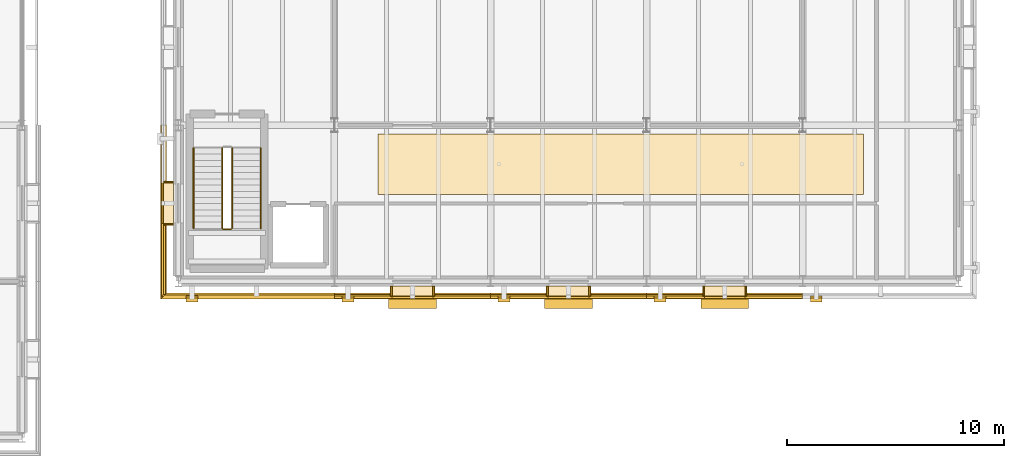
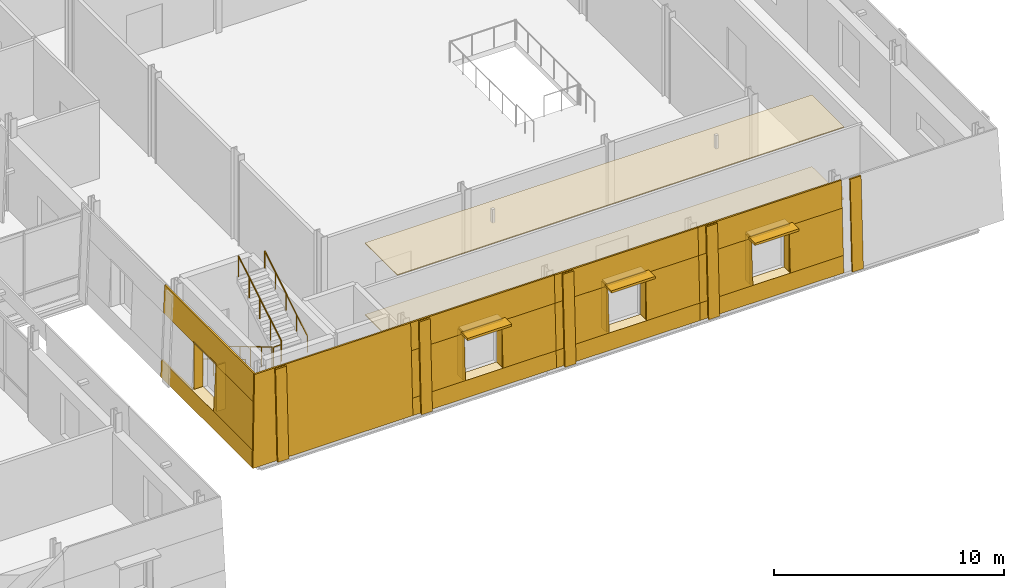
# One storey, part 106 of 121: 39 coverings, 5 railings, 3 shading devices.
"""IFC4 building model written with IfcOpenShell, lengths in metres."""

from ifc_helpers import new_model, si_unit, direction, frame, origin, origin_2d, place, context, subcontext, project, spatial, polyline, rectangle, circle, outline, extrude, material, layer, layer_set, type_object, element, save


model = new_model("IFC4")

# Units and contexts
model_context = context("Model", 3, precision=1e-05, world=origin(), true_north=direction((0.0, 1.0)))
body_context = subcontext(model_context, "Body", "Model", "MODEL_VIEW")
ifc_project = project(units=[si_unit("LENGTHUNIT", "METRE"), si_unit("AREAUNIT", "SQUARE_METRE"), si_unit("VOLUMEUNIT", "CUBIC_METRE"), si_unit("PLANEANGLEUNIT", "RADIAN"), si_unit("MASSUNIT", "GRAM", prefix="KILO")], contexts=[model_context])

# Site, building, storey
site_placement = place(None, origin())
site = spatial("IfcSite", under=ifc_project, at=site_placement, CompositionType="ELEMENT")
building_placement = place(site_placement, origin())
building = spatial("IfcBuilding", under=site, at=building_placement, Name="Narikvali Park Central Library", CompositionType="ELEMENT")
storey_placement = place(building_placement, frame((0.0, 0.0, 5.39990234375)))
storey = spatial("IfcBuildingStorey", under=building, at=storey_placement, Name="L01", CompositionType="ELEMENT", Elevation=5.39990234375)

# Coverings
ifc_material_1 = material(Name="Acoustic Micro-Perforated Caucasian Oak")
ifc_layer_1 = layer(ifc_material_1, 0.044921875, Name="Acoustic Micro-Perforated Caucasian Oak")
ifc_layer_set_1 = layer_set([ifc_layer_1], Name="Acoustic Micro-Perforated Caucasian Oak")
covering_type_1 = type_object("IfcCoveringType", Name="Acoustic Perforated Timber Suspended Ceiling", PredefinedType="CEILING", material=ifc_layer_set_1)
covering_1_placement = place(storey_placement, frame((0.0, 0.0, 3.795166015625)))
element("IfcCovering", 1, at=covering_1_placement, inside=storey, type_object=covering_type_1, Name="V1 L01 Acoustic Suspended Ceiling 02", PredefinedType="CEILING", context=body_context, shape_type="SweptSolid", body=[
    extrude(outline(polyline([(74.0, 61.60009765625), (96.39990234375, 61.60009765625), (96.39990234375, 64.39990234375), (74.0, 64.39990234375), (74.0, 61.60009765625)])), origin(), (0.0, 0.0, 1.0), 0.044921875),
])
ifc_material_2 = material(Name="White Honed Limestone Cladding", Category="masonry")
ifc_layer_2 = layer(ifc_material_2, 0.0849609375, Name="White Honed Limestone Cladding")
ifc_layer_set_2 = layer_set([ifc_layer_2], Name="White Honed Limestone Cladding")
covering_type_2 = type_object("IfcCoveringType", Name="Battered White Limestone Facade Cladding Panel", PredefinedType="CLADDING", material=ifc_layer_set_2)
covering_2_placement = place(storey_placement, frame((65.14990234375, 56.64111328125, 0.0), z_axis=(0.0, -0.9991649228, 0.040858989773), x_axis=(1.0, 0.0, 0.0)))
element("IfcCovering", 2, at=covering_2_placement, inside=storey, type_object=covering_type_2, Name="V1 L01 S Classical Limestone Pilaster B01", PredefinedType="CLADDING", context=body_context, shape_type="SweptSolid", body=[
    extrude(outline(polyline([(0.0, 0.0), (0.550048828125, 0.0), (0.550048828125, 4.804060589588907), (0.0, 4.804060589588907), (0.0, 0.0)])), origin(), (0.0, 0.0, -1.0), 0.0849609375),
])
covering_3_placement = place(storey_placement, frame((63.98095703125, 56.781005859375, 0.0), z_axis=(0.0, -0.9991649228, 0.040858989773), x_axis=(1.0, 0.0, 0.0)))
element("IfcCovering", 3, at=covering_3_placement, inside=storey, type_object=covering_type_2, Name="V1 L01 S Battered Limestone Panel B01", PredefinedType="CLADDING", context=body_context, shape_type="SweptSolid", body=[
    extrude(outline(polyline([(0.0, 0.0), (8.01904296875, 0.0), (8.01904296875, 4.804060589588907), (0.196533203125, 4.804060589588907), (0.0, 0.0)])), origin(), (0.0, 0.0, -1.0), 0.0849609375),
])
covering_4_placement = place(storey_placement, frame((72.35009765625, 56.64111328125, 0.0), z_axis=(0.0, -0.9991649228, 0.040858989773), x_axis=(1.0, 0.0, 0.0)))
element("IfcCovering", 4, at=covering_4_placement, inside=storey, type_object=covering_type_2, Name="V1 L01 S Classical Limestone Pilaster B02", PredefinedType="CLADDING", context=body_context, shape_type="SweptSolid", body=[
    extrude(outline(polyline([(0.0, 0.0), (0.5498046875, 0.0), (0.5498046875, 4.804060589588907), (0.0, 4.804060589588907), (0.0, 0.0)])), origin(), (0.0, 0.0, -1.0), 0.0849609375),
])
covering_5_placement = place(storey_placement, frame((72.0, 56.781005859375, 0.0), z_axis=(0.0, -0.999162409553, 0.040920402453), x_axis=(1.0, 0.0, 0.0)))
element("IfcCovering", 5, at=covering_5_placement, inside=storey, type_object=covering_type_2, Name="V1 L01 S Battered Limestone Spandrel B02", PredefinedType="CLADDING", context=body_context, shape_type="SweptSolid", body=[
    extrude(outline(polyline([(0.0, 0.0), (7.199951171875, 0.0), (7.199951171875, 0.9009010705056333), (0.0, 0.9009010705056333), (0.0, 0.0)])), origin(), (0.0, 0.0, -1.0), 0.0849609375),
])
covering_6_placement = place(storey_placement, frame((72.0, 56.918212890625, 3.35009765625), z_axis=(0.0, -0.999170848901, 0.040713814688), x_axis=(1.0, 0.0, 0.0)))
element("IfcCovering", 6, at=covering_6_placement, inside=storey, type_object=covering_type_2, Name="V1 L01 S Battered Limestone Lintel B02", PredefinedType="CLADDING", context=body_context, shape_type="SweptSolid", body=[
    extrude(outline(polyline([(0.0, 0.0), (7.199951171875, 0.0), (7.199951171875, 1.4511543981390513), (0.0, 1.4511543981390513), (0.0, 0.0)])), origin(), (0.0, 0.0, -1.0), 0.0849609375),
])
for number, where, z_axis, x_axis, name in (
    (7, (72.0, 56.81787109375, 0.900146484375), (0.0, -0.999162330053, 0.040922343563), (1.0, 0.0, 0.0), "V1 L01 S Battered Limestone Jamb Pier L B02"),
    (8, (76.5400390625, 56.81787109375, 0.900146484375), (0.0, -0.999162330053, 0.040922343563), (1.0, 0.0, 0.0), "V1 L01 S Battered Limestone Jamb Pier R B02"),
):
    element("IfcCovering", number, at=place(storey_placement, frame(where, z_axis=z_axis, x_axis=x_axis)), inside=storey, type_object=covering_type_2, Name=name, PredefinedType="CLADDING", context=body_context, shape_type="SweptSolid", body=[
        extrude(outline(polyline([(0.0, 0.0), (2.659912109375, 0.0), (2.659912109375, 2.4520051428926064), (0.0, 2.4520051428926064), (0.0, 0.0)])), origin(), (0.0, 0.0, -1.0), 0.0849609375),
    ])
covering_7_placement = place(storey_placement, frame((79.550048828125, 56.64111328125, 0.0), z_axis=(0.0, -0.9991649228, 0.040858989773), x_axis=(1.0, 0.0, 0.0)))
element("IfcCovering", 9, at=covering_7_placement, inside=storey, type_object=covering_type_2, Name="V1 L01 S Classical Limestone Pilaster B03", PredefinedType="CLADDING", context=body_context, shape_type="SweptSolid", body=[
    extrude(outline(polyline([(0.0, 0.0), (0.550048828125, 0.0), (0.550048828125, 4.804060589588907), (0.0, 4.804060589588907), (0.0, 0.0)])), origin(), (0.0, 0.0, -1.0), 0.0849609375),
])
covering_8_placement = place(storey_placement, frame((79.199951171875, 56.781005859375, 0.0), z_axis=(0.0, -0.999162409553, 0.040920402453), x_axis=(1.0, 0.0, 0.0)))
element("IfcCovering", 10, at=covering_8_placement, inside=storey, type_object=covering_type_2, Name="V1 L01 S Battered Limestone Spandrel B03", PredefinedType="CLADDING", context=body_context, shape_type="SweptSolid", body=[
    extrude(outline(polyline([(0.0, 0.0), (7.199951171875, 0.0), (7.199951171875, 0.9009010705056333), (0.0, 0.9009010705056333), (0.0, 0.0)])), origin(), (0.0, 0.0, -1.0), 0.0849609375),
])
covering_9_placement = place(storey_placement, frame((79.199951171875, 56.918212890625, 3.35009765625), z_axis=(0.0, -0.999170848901, 0.040713814688), x_axis=(1.0, 0.0, 0.0)))
element("IfcCovering", 11, at=covering_9_placement, inside=storey, type_object=covering_type_2, Name="V1 L01 S Battered Limestone Lintel B03", PredefinedType="CLADDING", context=body_context, shape_type="SweptSolid", body=[
    extrude(outline(polyline([(0.0, 0.0), (7.199951171875, 0.0), (7.199951171875, 1.4511543981390513), (0.0, 1.4511543981390513), (0.0, 0.0)])), origin(), (0.0, 0.0, -1.0), 0.0849609375),
])
covering_10_placement = place(storey_placement, frame((79.199951171875, 56.81787109375, 0.900146484375), z_axis=(0.0, -0.999162330053, 0.040922343563), x_axis=(1.0, 0.0, 0.0)))
element("IfcCovering", 12, at=covering_10_placement, inside=storey, type_object=covering_type_2, Name="V1 L01 S Battered Limestone Jamb Pier L B03", PredefinedType="CLADDING", context=body_context, shape_type="SweptSolid", body=[
    extrude(outline(polyline([(0.0, 0.0), (2.66015625, 0.0), (2.66015625, 2.452005142892606), (0.0, 2.452005142892606), (0.0, 0.0)])), origin(), (0.0, 0.0, -1.0), 0.0849609375),
])
covering_11_placement = place(storey_placement, frame((83.739990234375, 56.81787109375, 0.900146484375), z_axis=(0.0, -0.999162330053, 0.040922343563), x_axis=(1.0, 0.0, 0.0)))
element("IfcCovering", 13, at=covering_11_placement, inside=storey, type_object=covering_type_2, Name="V1 L01 S Battered Limestone Jamb Pier R B03", PredefinedType="CLADDING", context=body_context, shape_type="SweptSolid", body=[
    extrude(outline(polyline([(0.0, 0.0), (2.659912109375, 0.0), (2.659912109375, 2.4520051428926064), (0.0, 2.4520051428926064), (0.0, 0.0)])), origin(), (0.0, 0.0, -1.0), 0.0849609375),
])
covering_12_placement = place(storey_placement, frame((86.75, 56.64111328125, 0.0), z_axis=(0.0, -0.9991649228, 0.040858989773), x_axis=(1.0, 0.0, 0.0)))
element("IfcCovering", 14, at=covering_12_placement, inside=storey, type_object=covering_type_2, Name="V1 L01 S Classical Limestone Pilaster B04", PredefinedType="CLADDING", context=body_context, shape_type="SweptSolid", body=[
    extrude(outline(polyline([(0.0, 0.0), (0.550048828125, 0.0), (0.550048828125, 4.804060589588907), (0.0, 4.804060589588907), (0.0, 0.0)])), origin(), (0.0, 0.0, -1.0), 0.0849609375),
])
covering_13_placement = place(storey_placement, frame((86.39990234375, 56.781005859375, 0.0), z_axis=(0.0, -0.999162409553, 0.040920402453), x_axis=(1.0, 0.0, 0.0)))
element("IfcCovering", 15, at=covering_13_placement, inside=storey, type_object=covering_type_2, Name="V1 L01 S Battered Limestone Spandrel B04", PredefinedType="CLADDING", context=body_context, shape_type="SweptSolid", body=[
    extrude(outline(polyline([(0.0, 0.0), (7.2001953125, 0.0), (7.2001953125, 0.9009010705056333), (0.0, 0.9009010705056333), (0.0, 0.0)])), origin(), (0.0, 0.0, -1.0), 0.0849609375),
])
covering_14_placement = place(storey_placement, frame((86.39990234375, 56.918212890625, 3.35009765625), z_axis=(0.0, -0.999170848901, 0.040713814688), x_axis=(1.0, 0.0, 0.0)))
element("IfcCovering", 16, at=covering_14_placement, inside=storey, type_object=covering_type_2, Name="V1 L01 S Battered Limestone Lintel B04", PredefinedType="CLADDING", context=body_context, shape_type="SweptSolid", body=[
    extrude(outline(polyline([(0.0, 0.0), (7.2001953125, 0.0), (7.2001953125, 1.4511543981390511), (0.0, 1.4511543981390511), (0.0, 0.0)])), origin(), (0.0, 0.0, -1.0), 0.0849609375),
])
for number, where, z_axis, x_axis, name in (
    (17, (86.39990234375, 56.81787109375, 0.900146484375), (0.0, -0.999162330053, 0.040922343563), (1.0, 0.0, 0.0), "V1 L01 S Battered Limestone Jamb Pier L B04"),
    (18, (90.93994140625, 56.81787109375, 0.900146484375), (0.0, -0.999162330053, 0.040922343563), (1.0, 0.0, 0.0), "V1 L01 S Battered Limestone Jamb Pier R B04"),
):
    element("IfcCovering", number, at=place(storey_placement, frame(where, z_axis=z_axis, x_axis=x_axis)), inside=storey, type_object=covering_type_2, Name=name, PredefinedType="CLADDING", context=body_context, shape_type="SweptSolid", body=[
        extrude(outline(polyline([(0.0, 0.0), (2.66015625, 0.0), (2.66015625, 2.452005142892606), (0.0, 2.452005142892606), (0.0, 0.0)])), origin(), (0.0, 0.0, -1.0), 0.0849609375),
    ])
covering_15_placement = place(storey_placement, frame((93.949951171875, 56.64111328125, 0.0), z_axis=(0.0, -0.9991649228, 0.040858989773), x_axis=(1.0, 0.0, 0.0)))
element("IfcCovering", 19, at=covering_15_placement, inside=storey, type_object=covering_type_2, Name="V1 L01 S Classical Limestone Pilaster B05", PredefinedType="CLADDING", context=body_context, shape_type="SweptSolid", body=[
    extrude(outline(polyline([(0.0, 0.0), (0.550048828125, 0.0), (0.550048828125, 4.804060589588907), (0.0, 4.804060589588907), (0.0, 0.0)])), origin(), (0.0, 0.0, -1.0), 0.0849609375),
])
covering_16_placement = place(storey_placement, frame((63.98095703125, 64.800048828125, 0.0), z_axis=(-0.999162409553, 0.0, 0.040920402453), x_axis=(0.0, -1.0, 0.0)))
element("IfcCovering", 20, at=covering_16_placement, inside=storey, type_object=covering_type_2, Name="V1 L01 W Battered Limestone Spandrel B05", PredefinedType="CLADDING", context=body_context, shape_type="SweptSolid", body=[
    extrude(outline(polyline([(0.0, 0.0), (7.93408203125, 0.0), (7.897216796875, 0.9009010705056333), (0.0, 0.9009010705056333), (0.0, 0.0)])), origin(), (0.0, 0.0, -1.0), 0.0849609375),
])
covering_17_placement = place(storey_placement, frame((64.1181640625, 64.800048828125, 3.35009765625), z_axis=(-0.999163990863, 0.0, 0.040881772989), x_axis=(0.0, -1.0, 0.0)))
element("IfcCovering", 21, at=covering_17_placement, inside=storey, type_object=covering_type_2, Name="V1 L01 W Battered Limestone Lintel B05", PredefinedType="CLADDING", context=body_context, shape_type="SweptSolid", body=[
    extrude(outline(polyline([(0.0, 0.0), (7.796875, 0.0), (7.737548828125, 1.4511643585380078), (0.0, 1.4511643585380078), (0.0, 0.0)])), origin(), (0.0, 0.0, -1.0), 0.0849609375),
])
covering_18_placement = place(storey_placement, frame((64.017822265625, 60.260009765625, 0.900146484375), z_axis=(-0.999162330053, 0.0, 0.040922343563), x_axis=(0.0, -1.0, 0.0)))
element("IfcCovering", 22, at=covering_18_placement, inside=storey, type_object=covering_type_2, Name="V1 L01 W Battered Limestone Jamb Pier R B05", PredefinedType="CLADDING", context=body_context, shape_type="SweptSolid", body=[
    extrude(outline(polyline([(0.0, 0.0), (3.357177734375, 0.0), (3.2568359375, 2.452005142892606), (0.0, 2.452005142892606), (0.0, 0.0)])), origin(), (0.0, 0.0, -1.0), 0.0849609375),
])

# Shading devices
ifc_material_3 = material(Name="Anodised Bronze Aluminium", Category="aluminium")
ifc_layer_3 = layer(ifc_material_3, 0.1201171875, Name="Anodised Bronze Aluminium")
ifc_layer_set_3 = layer_set([ifc_layer_3], Name="Anodised Bronze Aluminium")
shading_device_type = type_object("IfcShadingDeviceType", Name="Bronze Classical Cornice Sun Brise-Soleil 650", PredefinedType="SHUTTER", material=ifc_layer_set_3)
for number, where, z_axis, x_axis, name in (
    (23, (75.60009765625, 56.677978515625, 3.35009765625), (0.0, 0.0, 1.0), (1.0, 0.0, 0.0), "V1 L01 Classical Bronze Brise-Soleil 02"),
    (24, (82.800048828125, 56.677978515625, 3.35009765625), (0.0, 0.0, 1.0), (1.0, 0.0, 0.0), "V1 L01 Classical Bronze Brise-Soleil 03"),
    (25, (90.0, 56.677978515625, 3.35009765625), (0.0, 0.0, 1.0), (1.0, 0.0, 0.0), "V1 L01 Classical Bronze Brise-Soleil 04"),
):
    element("IfcShadingDevice", number, at=place(storey_placement, frame(where, z_axis=z_axis, x_axis=x_axis)), inside=storey, type_object=shading_device_type, Name=name, PredefinedType="SHUTTER", context=body_context, shape_type="SweptSolid", body=[
        extrude(rectangle(XDim=2.199951171875, YDim=0.64990234375, at=origin_2d()), origin(), (0.0, 0.0, 1.0), 0.1201171875),
    ])

# Coverings
ifc_layer_4 = layer(ifc_material_2, 0.080078125, Name="White Honed Limestone Cladding")
ifc_layer_set_4 = layer_set([ifc_layer_4], Name="White Honed Limestone Cladding")
covering_type_3 = type_object("IfcCoveringType", Name="Deep Carved White Limestone Window Reveal", PredefinedType="CLADDING", material=ifc_layer_set_4)
covering_19_placement = place(storey_placement, frame((0.0, 0.0, 3.35009765625)))
element("IfcCovering", 26, at=covering_19_placement, inside=storey, type_object=covering_type_3, Name="Deep Stone Reveal Head V1-RVL-L01-S-B02", PredefinedType="CLADDING", context=body_context, shape_type="SweptSolid", body=[
    extrude(outline(polyline([(74.6201171875, 57.375), (76.580078125, 57.375), (76.580078125, 56.918212890625), (74.6201171875, 56.918212890625), (74.6201171875, 57.375)])), origin(), (0.0, 0.0, 1.0), 0.080078125),
])
covering_20_placement = place(storey_placement, frame((0.0, 0.0, 0.820068359375)))
element("IfcCovering", 27, at=covering_20_placement, inside=storey, type_object=covering_type_3, Name="Deep Stone Reveal Sill V1-RVL-L01-S-B02", PredefinedType="CLADDING", context=body_context, shape_type="SweptSolid", body=[
    extrude(outline(polyline([(74.6201171875, 57.375), (76.580078125, 57.375), (76.580078125, 56.81787109375), (74.6201171875, 56.81787109375), (74.6201171875, 57.375)])), origin(), (0.0, 0.0, 1.0), 0.080078125),
])
covering_21_placement = place(storey_placement, frame((0.0, 0.0, 0.900146484375)))
element("IfcCovering", 28, at=covering_21_placement, inside=storey, type_object=covering_type_3, Name="Deep Stone Reveal Jamb L V1-RVL-L01-S-B02", PredefinedType="CLADDING", context=body_context, shape_type="SweptSolid", body=[
    extrude(outline(polyline([(74.580078125, 57.375), (74.659912109375, 57.375), (74.659912109375, 56.918212890625), (74.580078125, 56.918212890625), (74.580078125, 57.375)])), origin(), (0.0, 0.0, 1.0), 2.449951171875),
])
covering_22_placement = place(storey_placement, frame((0.0, 0.0, 0.900146484375)))
element("IfcCovering", 29, at=covering_22_placement, inside=storey, type_object=covering_type_3, Name="Deep Stone Reveal Jamb R V1-RVL-L01-S-B02", PredefinedType="CLADDING", context=body_context, shape_type="SweptSolid", body=[
    extrude(outline(polyline([(76.5400390625, 57.375), (76.6201171875, 57.375), (76.6201171875, 56.918212890625), (76.5400390625, 56.918212890625), (76.5400390625, 57.375)])), origin(), (0.0, 0.0, 1.0), 2.449951171875),
])
covering_23_placement = place(storey_placement, frame((0.0, 0.0, 3.35009765625)))
element("IfcCovering", 30, at=covering_23_placement, inside=storey, type_object=covering_type_3, Name="Deep Stone Reveal Head V1-RVL-L01-S-B03", PredefinedType="CLADDING", context=body_context, shape_type="SweptSolid", body=[
    extrude(outline(polyline([(81.820068359375, 57.375), (83.780029296875, 57.375), (83.780029296875, 56.918212890625), (81.820068359375, 56.918212890625), (81.820068359375, 57.375)])), origin(), (0.0, 0.0, 1.0), 0.080078125),
])
covering_24_placement = place(storey_placement, frame((0.0, 0.0, 0.820068359375)))
element("IfcCovering", 31, at=covering_24_placement, inside=storey, type_object=covering_type_3, Name="Deep Stone Reveal Sill V1-RVL-L01-S-B03", PredefinedType="CLADDING", context=body_context, shape_type="SweptSolid", body=[
    extrude(outline(polyline([(81.820068359375, 57.375), (83.780029296875, 57.375), (83.780029296875, 56.81787109375), (81.820068359375, 56.81787109375), (81.820068359375, 57.375)])), origin(), (0.0, 0.0, 1.0), 0.080078125),
])
covering_25_placement = place(storey_placement, frame((0.0, 0.0, 0.900146484375)))
element("IfcCovering", 32, at=covering_25_placement, inside=storey, type_object=covering_type_3, Name="Deep Stone Reveal Jamb L V1-RVL-L01-S-B03", PredefinedType="CLADDING", context=body_context, shape_type="SweptSolid", body=[
    extrude(outline(polyline([(81.780029296875, 57.375), (81.860107421875, 57.375), (81.860107421875, 56.918212890625), (81.780029296875, 56.918212890625), (81.780029296875, 57.375)])), origin(), (0.0, 0.0, 1.0), 2.449951171875),
])
covering_26_placement = place(storey_placement, frame((0.0, 0.0, 0.900146484375)))
element("IfcCovering", 33, at=covering_26_placement, inside=storey, type_object=covering_type_3, Name="Deep Stone Reveal Jamb R V1-RVL-L01-S-B03", PredefinedType="CLADDING", context=body_context, shape_type="SweptSolid", body=[
    extrude(outline(polyline([(83.739990234375, 57.375), (83.820068359375, 57.375), (83.820068359375, 56.918212890625), (83.739990234375, 56.918212890625), (83.739990234375, 57.375)])), origin(), (0.0, 0.0, 1.0), 2.449951171875),
])
covering_27_placement = place(storey_placement, frame((0.0, 0.0, 3.35009765625)))
element("IfcCovering", 34, at=covering_27_placement, inside=storey, type_object=covering_type_3, Name="Deep Stone Reveal Head V1-RVL-L01-S-B04", PredefinedType="CLADDING", context=body_context, shape_type="SweptSolid", body=[
    extrude(outline(polyline([(89.02001953125, 57.375), (90.97998046875, 57.375), (90.97998046875, 56.918212890625), (89.02001953125, 56.918212890625), (89.02001953125, 57.375)])), origin(), (0.0, 0.0, 1.0), 0.080078125),
])
covering_28_placement = place(storey_placement, frame((0.0, 0.0, 0.820068359375)))
element("IfcCovering", 35, at=covering_28_placement, inside=storey, type_object=covering_type_3, Name="Deep Stone Reveal Sill V1-RVL-L01-S-B04", PredefinedType="CLADDING", context=body_context, shape_type="SweptSolid", body=[
    extrude(outline(polyline([(89.02001953125, 57.375), (90.97998046875, 57.375), (90.97998046875, 56.81787109375), (89.02001953125, 56.81787109375), (89.02001953125, 57.375)])), origin(), (0.0, 0.0, 1.0), 0.080078125),
])
covering_29_placement = place(storey_placement, frame((0.0, 0.0, 0.900146484375)))
element("IfcCovering", 36, at=covering_29_placement, inside=storey, type_object=covering_type_3, Name="Deep Stone Reveal Jamb L V1-RVL-L01-S-B04", PredefinedType="CLADDING", context=body_context, shape_type="SweptSolid", body=[
    extrude(outline(polyline([(88.97998046875, 57.375), (89.06005859375, 57.375), (89.06005859375, 56.918212890625), (88.97998046875, 56.918212890625), (88.97998046875, 57.375)])), origin(), (0.0, 0.0, 1.0), 2.449951171875),
])
covering_30_placement = place(storey_placement, frame((0.0, 0.0, 0.900146484375)))
element("IfcCovering", 37, at=covering_30_placement, inside=storey, type_object=covering_type_3, Name="Deep Stone Reveal Jamb R V1-RVL-L01-S-B04", PredefinedType="CLADDING", context=body_context, shape_type="SweptSolid", body=[
    extrude(outline(polyline([(90.93994140625, 57.375), (91.02001953125, 57.375), (91.02001953125, 56.918212890625), (90.93994140625, 56.918212890625), (90.93994140625, 57.375)])), origin(), (0.0, 0.0, 1.0), 2.449951171875),
])
covering_31_placement = place(storey_placement, frame((0.0, 0.0, 3.35009765625)))
element("IfcCovering", 38, at=covering_31_placement, inside=storey, type_object=covering_type_3, Name="Deep Stone Reveal Head V1-RVL-L01-W-B05", PredefinedType="CLADDING", context=body_context, shape_type="SweptSolid", body=[
    extrude(outline(polyline([(64.574951171875, 62.179931640625), (64.574951171875, 60.219970703125), (64.1181640625, 60.219970703125), (64.1181640625, 62.179931640625), (64.574951171875, 62.179931640625)])), origin(), (0.0, 0.0, 1.0), 0.080078125),
])
covering_32_placement = place(storey_placement, frame((0.0, 0.0, 0.820068359375)))
element("IfcCovering", 39, at=covering_32_placement, inside=storey, type_object=covering_type_3, Name="Deep Stone Reveal Sill V1-RVL-L01-W-B05", PredefinedType="CLADDING", context=body_context, shape_type="SweptSolid", body=[
    extrude(outline(polyline([(64.574951171875, 62.179931640625), (64.574951171875, 60.219970703125), (64.017822265625, 60.219970703125), (64.017822265625, 62.179931640625), (64.574951171875, 62.179931640625)])), origin(), (0.0, 0.0, 1.0), 0.080078125),
])
covering_33_placement = place(storey_placement, frame((0.0, 0.0, 0.900146484375)))
element("IfcCovering", 40, at=covering_33_placement, inside=storey, type_object=covering_type_3, Name="Deep Stone Reveal Jamb L V1-RVL-L01-W-B05", PredefinedType="CLADDING", context=body_context, shape_type="SweptSolid", body=[
    extrude(outline(polyline([(64.574951171875, 62.219970703125), (64.574951171875, 62.139892578125), (64.1181640625, 62.139892578125), (64.1181640625, 62.219970703125), (64.574951171875, 62.219970703125)])), origin(), (0.0, 0.0, 1.0), 2.449951171875),
])
covering_34_placement = place(storey_placement, frame((0.0, 0.0, 0.900146484375)))
element("IfcCovering", 41, at=covering_34_placement, inside=storey, type_object=covering_type_3, Name="Deep Stone Reveal Jamb R V1-RVL-L01-W-B05", PredefinedType="CLADDING", context=body_context, shape_type="SweptSolid", body=[
    extrude(outline(polyline([(64.574951171875, 60.260009765625), (64.574951171875, 60.179931640625), (64.1181640625, 60.179931640625), (64.1181640625, 60.260009765625), (64.574951171875, 60.260009765625)])), origin(), (0.0, 0.0, 1.0), 2.449951171875),
])
ifc_material_4 = material(Name="Polished Georgian Basalt Terrazzo", Category="masonry")
ifc_layer_5 = layer(ifc_material_4, 0.0400390625, Name="Polished Georgian Basalt Terrazzo")
ifc_layer_set_5 = layer_set([ifc_layer_5], Name="Polished Georgian Basalt Terrazzo")
covering_type_4 = type_object("IfcCoveringType", Name="Polished Basalt Terrazzo Floor Finish", PredefinedType="FLOORING", material=ifc_layer_set_5)
covering_35_placement = place(storey_placement, origin())
element("IfcCovering", 42, at=covering_35_placement, inside=storey, type_object=covering_type_4, Name="V1 L01 Basalt Terrazzo Flooring 02", PredefinedType="FLOORING", context=body_context, shape_type="SweptSolid", body=[
    extrude(outline(polyline([(74.0, 61.60009765625), (96.39990234375, 61.60009765625), (96.39990234375, 64.39990234375), (74.0, 64.39990234375), (74.0, 61.60009765625)])), origin(), (0.0, 0.0, 1.0), 0.0400390625),
])

# Railings
ifc_material_5 = material(Name="Brushed Stainless Steel S355", Category="steel")
ifc_layer_6 = layer(ifc_material_5, 0.044921875, Name="Brushed Stainless Steel S355")
ifc_layer_set_6 = layer_set([ifc_layer_6], Name="Brushed Stainless Steel S355")
railing_type_1 = type_object("IfcRailingType", Name="Stair Tubular Steel Handrail 900", PredefinedType="HANDRAIL", material=ifc_layer_set_6)
railing_1_placement = place(storey_placement, frame((65.5, 63.75, 0.171630859375)))
element("IfcRailing", 43, at=railing_1_placement, inside=storey, type_object=railing_type_1, Name="L01 ST-01 stair handrail 1", PredefinedType="HANDRAIL", context=body_context, shape_type="SweptSolid", body=[
    extrude(circle(Radius=0.02392578125, at=origin_2d()), frame((0.0, 0.0, 0.8759765625), z_axis=(0.0, -0.856934400257, 0.515425487977), x_axis=(1.0, 0.0, 0.0)), (0.0, 0.0, 1.0), 4.32373046875),
    extrude(circle(Radius=0.02099609375, at=origin_2d()), origin(), (0.0, 0.0, 1.0), 0.851806640625),
    extrude(circle(Radius=0.02099609375, at=origin_2d()), frame((0.0, -0.92626953125, 0.55712890625)), (0.0, 0.0, 1.0), 0.851806640625),
    extrude(circle(Radius=0.02099609375, at=origin_2d()), frame((0.0, -1.8525390625, 1.1142578125)), (0.0, 0.0, 1.0), 0.851806640625),
    extrude(circle(Radius=0.02099609375, at=origin_2d()), frame((0.0, -2.77880859375, 1.67138671875)), (0.0, 0.0, 1.0), 0.851806640625),
    extrude(circle(Radius=0.02099609375, at=origin_2d()), frame((0.0, -3.705078125, 2.228515625)), (0.0, 0.0, 1.0), 0.851806640625),
])
railing_2_placement = place(storey_placement, frame((68.60009765625, 60.044921875, 2.571533203125)))
element("IfcRailing", 44, at=railing_2_placement, inside=storey, type_object=railing_type_1, Name="L01 ST-01 stair handrail 2", PredefinedType="HANDRAIL", context=body_context, shape_type="SweptSolid", body=[
    extrude(circle(Radius=0.02392578125, at=origin_2d()), frame((0.0, 0.0, 0.8759765625), z_axis=(0.0, 0.856934400257, 0.515425487977), x_axis=(-1.0, 0.0, 0.0)), (0.0, 0.0, 1.0), 4.32373046875),
    extrude(circle(Radius=0.02099609375, at=origin_2d()), origin(), (0.0, 0.0, 1.0), 0.851806640625),
    extrude(circle(Radius=0.02099609375, at=origin_2d()), frame((0.0, 0.92626953125, 0.55712890625)), (0.0, 0.0, 1.0), 0.851806640625),
    extrude(circle(Radius=0.02099609375, at=origin_2d()), frame((0.0, 1.8525390625, 1.1142578125)), (0.0, 0.0, 1.0), 0.851806640625),
    extrude(circle(Radius=0.02099609375, at=origin_2d()), frame((0.0, 2.77880859375, 1.67138671875)), (0.0, 0.0, 1.0), 0.851806640625),
    extrude(circle(Radius=0.02099609375, at=origin_2d()), frame((0.0, 3.705078125, 2.228515625)), (0.0, 0.0, 1.0), 0.851806640625),
])
ifc_material_6 = material(Name="Powder-Coated Steel S275", Category="steel")
ifc_layer_7 = layer(ifc_material_6, 0.050048828125, Name="Powder-Coated Steel S275")
ifc_layer_set_7 = layer_set([ifc_layer_7], Name="Powder-Coated Steel S275")
railing_type_2 = type_object("IfcRailingType", Name="Stair Well Steel Guardrail 1100", PredefinedType="GUARDRAIL", material=ifc_layer_set_7)
railing_3_placement = place(storey_placement, frame((66.820068359375, 63.75, 0.171630859375)))
element("IfcRailing", 45, at=railing_3_placement, inside=storey, type_object=railing_type_2, Name="L01 ST-01 stair guard 1", PredefinedType="GUARDRAIL", context=body_context, shape_type="SweptSolid", body=[
    extrude(circle(Radius=0.02392578125, at=origin_2d()), frame((0.0, 0.0, 1.076171875), z_axis=(0.0, -0.856934400257, 0.515425487977), x_axis=(1.0, 0.0, 0.0)), (0.0, 0.0, 1.0), 4.32373046875),
    extrude(circle(Radius=0.02099609375, at=origin_2d()), origin(), (0.0, 0.0, 1.0), 1.052001953125),
    extrude(circle(Radius=0.02099609375, at=origin_2d()), frame((0.0, -0.92626953125, 0.55712890625)), (0.0, 0.0, 1.0), 1.052001953125),
    extrude(circle(Radius=0.02099609375, at=origin_2d()), frame((0.0, -1.8525390625, 1.1142578125)), (0.0, 0.0, 1.0), 1.052001953125),
    extrude(circle(Radius=0.02099609375, at=origin_2d()), frame((0.0, -2.77880859375, 1.67138671875)), (0.0, 0.0, 1.0), 1.052001953125),
    extrude(circle(Radius=0.02099609375, at=origin_2d()), frame((0.0, -3.705078125, 2.228515625)), (0.0, 0.0, 1.0), 1.052001953125),
])
railing_4_placement = place(storey_placement, frame((66.8701171875, 59.9951171875, 2.400146484375)))
element("IfcRailing", 46, at=railing_4_placement, inside=storey, type_object=railing_type_2, Name="L01 ST-01 stair guard 2", PredefinedType="GUARDRAIL", context=body_context, shape_type="SweptSolid", body=[
    extrude(circle(Radius=0.02392578125, at=origin_2d()), frame((0.0, 0.0, 1.076171875), z_axis=(1.0, 0.0, 0.0), x_axis=(0.0, 1.0, 0.0)), (0.0, 0.0, 1.0), 0.35986328125),
    extrude(circle(Radius=0.02099609375, at=origin_2d()), origin(), (0.0, 0.0, 1.0), 1.052001953125),
    extrude(circle(Radius=0.02099609375, at=origin_2d()), frame((0.35986328125, 0.0, 0.0)), (0.0, 0.0, 1.0), 1.052001953125),
])
railing_5_placement = place(storey_placement, frame((67.280029296875, 60.044921875, 2.571533203125)))
element("IfcRailing", 47, at=railing_5_placement, inside=storey, type_object=railing_type_2, Name="L01 ST-01 stair guard 3", PredefinedType="GUARDRAIL", context=body_context, shape_type="SweptSolid", body=[
    extrude(circle(Radius=0.02392578125, at=origin_2d()), frame((0.0, 0.0, 1.076171875), z_axis=(0.0, 0.856934400257, 0.515425487977), x_axis=(-1.0, 0.0, 0.0)), (0.0, 0.0, 1.0), 4.32373046875),
    extrude(circle(Radius=0.02099609375, at=origin_2d()), origin(), (0.0, 0.0, 1.0), 1.052001953125),
    extrude(circle(Radius=0.02099609375, at=origin_2d()), frame((0.0, 0.92626953125, 0.55712890625)), (0.0, 0.0, 1.0), 1.052001953125),
    extrude(circle(Radius=0.02099609375, at=origin_2d()), frame((0.0, 1.8525390625, 1.1142578125)), (0.0, 0.0, 1.0), 1.052001953125),
    extrude(circle(Radius=0.02099609375, at=origin_2d()), frame((0.0, 2.77880859375, 1.67138671875)), (0.0, 0.0, 1.0), 1.052001953125),
    extrude(circle(Radius=0.02099609375, at=origin_2d()), frame((0.0, 3.705078125, 2.228515625)), (0.0, 0.0, 1.0), 1.052001953125),
])

save(model, "model.ifc")
